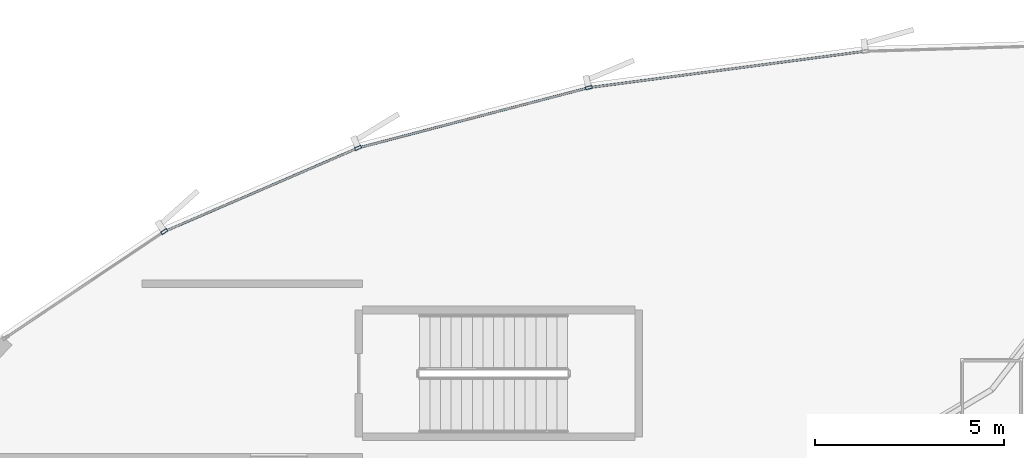
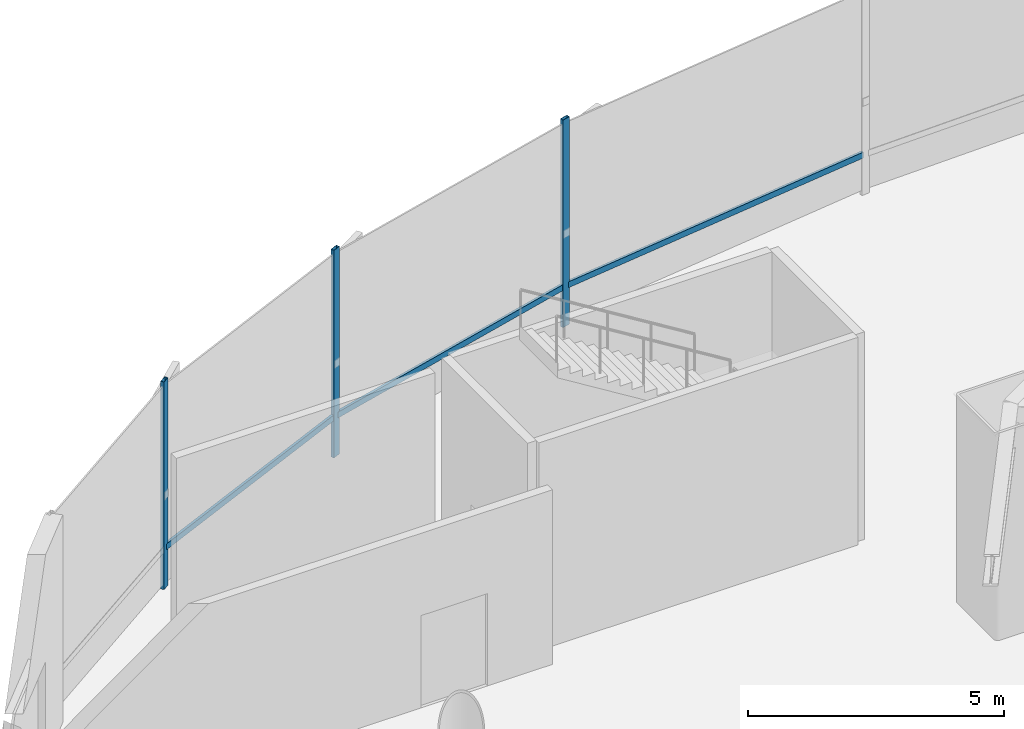
# One storey, part 9 of 35: 6 members, 1 element without a shape of its own.
"""IFC4 building model written with IfcOpenShell, lengths in metres."""

from ifc_helpers import new_model, si_unit, direction, frame, origin, origin_2d, place, context, subcontext, project, spatial, hollow_rectangle, extrude, source, transform, mapped, material, layer, layer_set, material_profile, profile_set, type_object, element, aggregate, save


model = new_model("IFC4")

# Units and contexts
model_context = context("Model", 3, precision=1e-05, world=origin(), true_north=direction((0.0, 1.0)))
body_context = subcontext(model_context, "Body", "Model", "MODEL_VIEW")
ifc_project = project(units=[si_unit("LENGTHUNIT", "METRE"), si_unit("AREAUNIT", "SQUARE_METRE"), si_unit("VOLUMEUNIT", "CUBIC_METRE"), si_unit("PLANEANGLEUNIT", "RADIAN"), si_unit("MASSUNIT", "GRAM", prefix="KILO"), si_unit("THERMODYNAMICTEMPERATUREUNIT", "KELVIN")], contexts=[model_context])

# Site, building, storey
site_placement = place(None, origin())
site = spatial("IfcSite", under=ifc_project, at=site_placement, CompositionType="ELEMENT")
building_placement = place(site_placement, origin())
building = spatial("IfcBuilding", under=site, at=building_placement, Name="Kethvar Cultural Tower", CompositionType="ELEMENT")
storey_placement = place(building_placement, origin())
storey = spatial("IfcBuildingStorey", under=building, at=storey_placement, Name="L00", CompositionType="ELEMENT", Elevation=0.0)

# Curtain wall, members
ifc_material = material(Name="Aluminium 6063-T6", Category="aluminium")
ifc_layer = layer(ifc_material, 0.179931640625, Name="Aluminium 6063-T6", Category="aluminium")
ifc_layer_set = layer_set([ifc_layer], Name="Aluminium 6063-T6 (180 mm)")
curtain_wall_type = type_object("IfcCurtainWallType", Name="CW-SYS-01-POD", PredefinedType="NOTDEFINED", material=ifc_layer_set)
curtain_wall_placement = place(storey_placement, origin())
curtain_wall = element("IfcCurtainWall", 1, at=curtain_wall_placement, inside=storey, type_object=curtain_wall_type, Name="L00 Curtain Wall Run 02", PredefinedType="NOTDEFINED")
ifc_material_profile_1 = material_profile(ifc_material, hollow_rectangle(XDim=0.074951171875, YDim=0.179931640625, WallThickness=0.006103515625, at=origin_2d()), Name="Aluminium 6063-T6 — RHS180x75x6")
ifc_profile_set_1 = profile_set([ifc_material_profile_1], Name="Aluminium 6063-T6 — RHS180x75x6")
member_type_1 = type_object("IfcMemberType", Name="CW-SYS-01-POD-MUL", PredefinedType="MULLION", material=ifc_profile_set_1)
shared_shape_1 = source(origin(), body_context, "Body", "SweptSolid", [
    extrude(hollow_rectangle(XDim=0.074951171875, YDim=0.179931640625, WallThickness=0.006103515625, at=origin_2d()), origin(), (0.0, 0.0, 1.0), 4.949951171875),
])
member_1_placement = place(storey_placement, frame((23.98291015625, 53.984619140625, 0.0), z_axis=(0.0, 0.0, 1.0), x_axis=(0.253031946887, -0.967457923558, 0.0)))
member_1 = element("IfcMember", 2, at=member_1_placement, type_object=member_type_1, Name="CW-L00-R02 Mullion 4", PredefinedType="MULLION", context=body_context, shape_type="MappedRepresentation", body=[
    mapped(shared_shape_1, transform((0.0, 0.0, 0.0), scale=1.0)),
])
member_2_placement = place(storey_placement, frame((17.878173828125, 52.3896484375, 0.0), z_axis=(0.0, 0.0, 1.0), x_axis=(0.396410942082, -0.918073180633, 0.0)))
member_2 = element("IfcMember", 3, at=member_2_placement, type_object=member_type_1, Name="CW-L00-R02 Mullion 5", PredefinedType="MULLION", context=body_context, shape_type="MappedRepresentation", body=[
    mapped(shared_shape_1, transform((0.0, 0.0, 0.0), scale=1.0)),
])
member_3_placement = place(storey_placement, frame((12.74609375, 50.176025390625, 0.0), z_axis=(0.0, 0.0, 1.0), x_axis=(0.556556649514, -0.830809662848, 0.0)))
member_3 = element("IfcMember", 4, at=member_3_placement, type_object=member_type_1, Name="CW-L00-R02 Mullion 6", PredefinedType="MULLION", context=body_context, shape_type="MappedRepresentation", body=[
    mapped(shared_shape_1, transform((0.0, 0.0, 0.0), scale=1.0)),
])
ifc_material_profile_2 = material_profile(ifc_material, hollow_rectangle(XDim=0.06005859375, YDim=0.139892578125, WallThickness=0.0048828125, at=origin_2d()), Name="Aluminium 6063-T6 — RHS140x60x5")
ifc_profile_set_2 = profile_set([ifc_material_profile_2], Name="Aluminium 6063-T6 — RHS140x60x5")
member_type_2 = type_object("IfcMemberType", Name="CW-SYS-01-POD-TRN", PredefinedType="USERDEFINED", material=ifc_profile_set_2)
shared_shape_2 = source(origin(), body_context, "Body", "SweptSolid", [
    extrude(hollow_rectangle(XDim=0.06005859375, YDim=0.139892578125, WallThickness=0.0048828125, at=origin_2d()), origin(), (0.0, 0.0, 1.0), 5.504638671875),
])
member_4_placement = place(storey_placement, frame((17.82861328125, 52.3681640625, 0.949951171875), z_axis=(-0.918072625283, -0.39641222825, 0.0), x_axis=(0.39641222825, -0.918072625283, 0.0)))
member_4 = element("IfcMember", 5, at=member_4_placement, type_object=member_type_2, Name="CW-L00-R02 Transom 5", ObjectType="TRANSOM", PredefinedType="USERDEFINED", context=body_context, shape_type="MappedRepresentation", body=[
    mapped(shared_shape_2, transform((0.0, 0.0, 0.0), scale=1.0)),
])
shared_shape_3 = source(origin(), body_context, "Body", "SweptSolid", [
    extrude(hollow_rectangle(XDim=0.06005859375, YDim=0.139892578125, WallThickness=0.0048828125, at=origin_2d()), origin(), (0.0, 0.0, 1.0), 7.28955078125),
])
member_5_placement = place(storey_placement, frame((31.24755859375, 54.94091796875, 0.949951171875), z_axis=(-0.9914326226, -0.13061912128, 0.0), x_axis=(0.13061912128, -0.9914326226, 0.0)))
member_5 = element("IfcMember", 6, at=member_5_placement, type_object=member_type_2, Name="CW-L00-R02 Transom 3", ObjectType="TRANSOM", PredefinedType="USERDEFINED", context=body_context, shape_type="MappedRepresentation", body=[
    mapped(shared_shape_3, transform((0.0, 0.0, 0.0), scale=1.0)),
])
shared_shape_4 = source(origin(), body_context, "Body", "SweptSolid", [
    extrude(hollow_rectangle(XDim=0.06005859375, YDim=0.139892578125, WallThickness=0.0048828125, at=origin_2d()), origin(), (0.0, 0.0, 1.0), 6.221435546875),
])
member_6_placement = place(storey_placement, frame((23.930908203125, 53.97119140625, 0.949951171875), z_axis=(-0.967458727109, -0.253028874519, 0.0), x_axis=(0.253028874519, -0.967458727109, 0.0)))
member_6 = element("IfcMember", 7, at=member_6_placement, type_object=member_type_2, Name="CW-L00-R02 Transom 4", ObjectType="TRANSOM", PredefinedType="USERDEFINED", context=body_context, shape_type="MappedRepresentation", body=[
    mapped(shared_shape_4, transform((0.0, 0.0, 0.0), scale=1.0)),
])
aggregate(curtain_wall, [member_1, member_2, member_3, member_5, member_6, member_4])

save(model, "model.ifc")
